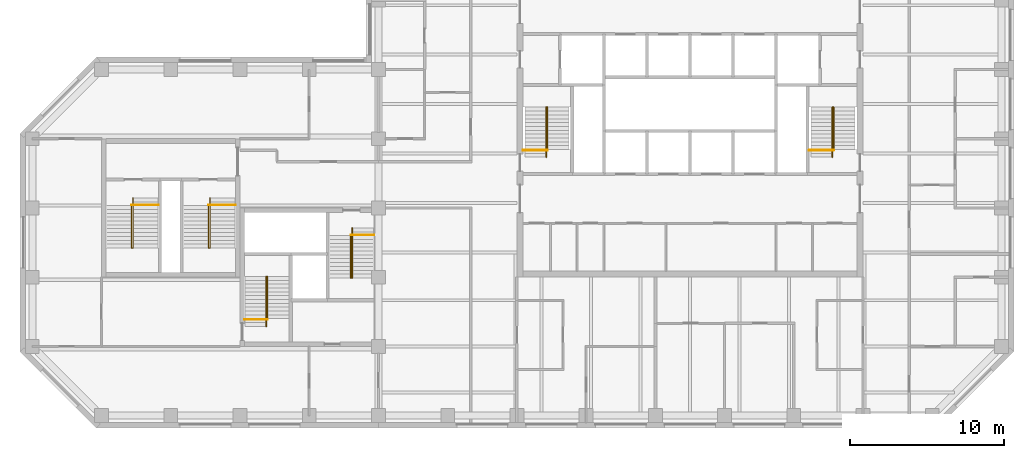
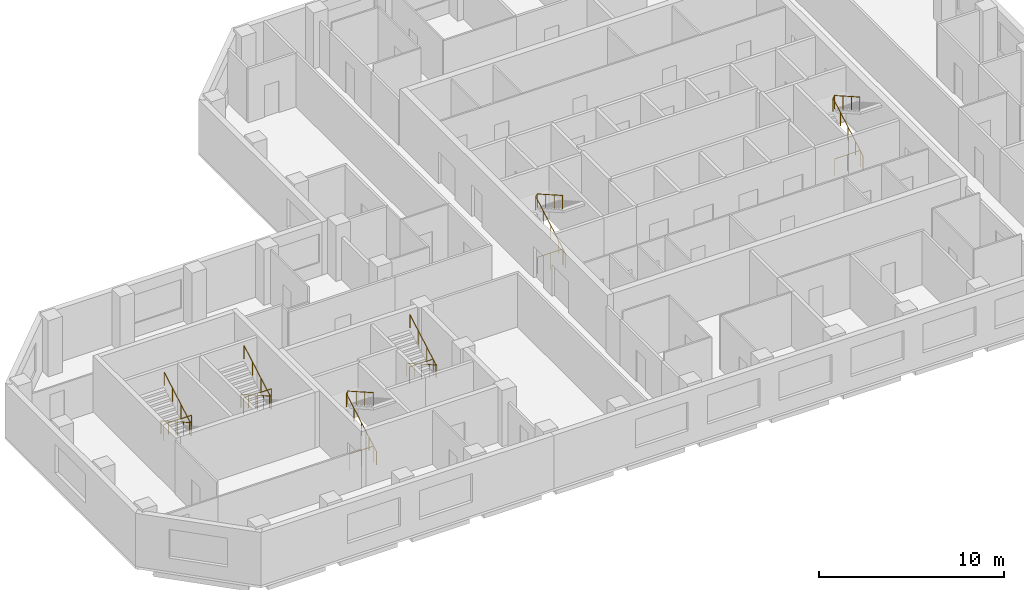
# One storey, part 10 of 10: 12 railings.
"""IFC4 building model written with IfcOpenShell, lengths in metres."""

import ifcopenshell
import ifcopenshell.guid

model = None  # the IFC model being written
_history = None  # IfcOwnerHistory: only IFC2X3 demands one
_inside = {}  # id of a spatial element -> (the spatial element, [elements in it])
_under = {}  # id of a project, library or spatial element -> (it, [spatial elements below it])
_declared = {}  # id of a project -> (the project, [libraries it declares])
_typed = {}  # id of a type object -> (the type object, [elements of that type])
_made_of = {}  # id of a material, layer set ... -> (it, [elements and type objects made of it])


def new_model(schema):
    """Start an empty IFC model of exactly this schema.

    Asked for "IFC4X3", IfcOpenShell would pick the latest addendum, in which some entities
    have other attributes; the version numbers below select the first issue.
    IFC2X3 requires an IfcOwnerHistory on every rooted entity: one is made here for all.
    """
    global model, _history
    if schema == "IFC4X3":
        model = ifcopenshell.file(schema_version=(4, 3, 0, 0))
    else:
        model = ifcopenshell.file(schema=schema)
    _inside.clear()
    _under.clear()
    _declared.clear()
    _typed.clear()
    _made_of.clear()
    _history = None
    if model.schema == "IFC2X3":
        org = make("IfcOrganization", Name="unknown")
        user = make(
            "IfcPersonAndOrganization",
            ThePerson=make("IfcPerson", FamilyName="unknown"),
            TheOrganization=org,
        )
        app = make(
            "IfcApplication",
            ApplicationDeveloper=org,
            Version="unknown",
            ApplicationFullName="unknown",
            ApplicationIdentifier="unknown",
        )
        _history = make(
            "IfcOwnerHistory",
            OwningUser=user,
            OwningApplication=app,
            ChangeAction="ADDED",
            CreationDate=0,
        )
    return model


def make(cls, **values):
    """One entity of the class cls with the attributes given. An attribute that is None is left unset."""
    return model.create_entity(
        cls, **{name: value for name, value in values.items() if value is not None}
    )


def rooted(cls, **values):
    """An entity with a GlobalId (a new one), such as an element, a storey or a relation."""
    return make(cls, GlobalId=ifcopenshell.guid.new(), OwnerHistory=_history, **values)


def si_unit(unit_type, name, prefix=None):
    """IfcSIUnit, for example si_unit("LENGTHUNIT", "METRE", prefix="MILLI")."""
    return make("IfcSIUnit", UnitType=unit_type, Prefix=prefix, Name=name)


def assignment(units):
    """IfcUnitAssignment: the units of a project."""
    return None if units is None else make("IfcUnitAssignment", Units=units)


def point(xyz):
    """IfcCartesianPoint."""
    return None if xyz is None else make("IfcCartesianPoint", Coordinates=xyz)


def direction(xyz):
    """IfcDirection."""
    return None if xyz is None else make("IfcDirection", DirectionRatios=xyz)


def frame(location, z_axis=None, x_axis=None):
    """IfcAxis2Placement3D, a coordinate frame: its origin and axes. An axis left out is left unset."""
    return make(
        "IfcAxis2Placement3D",
        Location=point(location),
        Axis=direction(z_axis),
        RefDirection=direction(x_axis),
    )


def frame_2d(location, x_axis=None):
    """IfcAxis2Placement2D, a coordinate frame in the plane: its origin and x axis."""
    return make(
        "IfcAxis2Placement2D", Location=point(location), RefDirection=direction(x_axis)
    )


def origin():
    """The frame at (0, 0, 0) with its axes left unset."""
    return frame((0.0, 0.0, 0.0))


def origin_2d():
    """The frame at (0, 0) in the plane with its x axis left unset."""
    return frame_2d((0.0, 0.0))


def place(relative_to, where):
    """IfcLocalPlacement: puts the frame where relative to a parent placement (None: the world)."""
    return make(
        "IfcLocalPlacement", PlacementRelTo=relative_to, RelativePlacement=where
    )


def context(
    kind, dimensions, precision=None, world=None, true_north=None, identifier=None
):
    """IfcGeometricRepresentationContext, for example the 3D "Model" context."""
    return make(
        "IfcGeometricRepresentationContext",
        ContextIdentifier=identifier,
        ContextType=kind,
        CoordinateSpaceDimension=dimensions,
        Precision=precision,
        WorldCoordinateSystem=world,
        TrueNorth=true_north,
    )


def subcontext(parent, identifier, kind, view, scale=None):
    """IfcGeometricRepresentationSubContext, for example "Body" below "Model"."""
    return make(
        "IfcGeometricRepresentationSubContext",
        ContextIdentifier=identifier,
        ContextType=kind,
        ParentContext=parent,
        TargetScale=scale,
        TargetView=view,
    )


def project(units=None, contexts=None):
    """IfcProject with its units and contexts."""
    return rooted(
        "IfcProject",
        Name="project",
        RepresentationContexts=contexts,
        UnitsInContext=assignment(units),
    )


def spatial(cls, under=None, at=None, **own):
    """A site, building, storey or space (cls), placed at a placement, below another one or the project."""
    s = rooted(cls, ObjectPlacement=at, **own)
    if under is not None:
        _under.setdefault(under.id(), (under, []))[1].append(s)
    return s


def profile(cls, at=None, kind="AREA", **sizes):
    """A parametric profile (cls). Its sizes go by their IFC names, for example OverallWidth=200.0."""
    return make(cls, ProfileType=kind, Position=at, **sizes)


def circle(**sizes):
    """IfcCircleProfileDef."""
    return profile("IfcCircleProfileDef", **sizes)


def extrude(swept, where, along, depth):
    """IfcExtrudedAreaSolid: the profile swept, set in the frame where, extruded along a direction by depth."""
    return make(
        "IfcExtrudedAreaSolid",
        SweptArea=swept,
        Position=where,
        ExtrudedDirection=direction(along),
        Depth=depth,
    )


def shape(context_of_items, identifier, shape_type, items):
    """IfcShapeRepresentation: the items that make up one representation, for example the "Body"."""
    return make(
        "IfcShapeRepresentation",
        ContextOfItems=context_of_items,
        RepresentationIdentifier=identifier,
        RepresentationType=shape_type,
        Items=items,
    )


def material(Name=None, Category=None):
    """IfcMaterial."""
    return make("IfcMaterial", Name=Name, Category=Category)


def made_of(thing, what):
    """Note that an element or type object is made of a material, layer set ...; save() writes the relation."""
    if what is not None:
        _made_of.setdefault(what.id(), (what, []))[1].append(thing)
    return thing


def type_object(cls, material=None, **own):
    """A type object (cls), such as IfcWallType, which elements share."""
    return made_of(rooted(cls, **own), material)


def element(
    cls,
    number,
    at=None,
    inside=None,
    cuts=None,
    type_object=None,
    material=None,
    context=None,
    identifier="Body",
    shape_type=None,
    held_by="IfcProductDefinitionShape",
    body=None,
    shapes=None,
    **own,
):
    """One element of the class cls, such as IfcWall. Its Tag is "e" and its number.

    at: its placement. inside: the storey or other place that contains it. cuts: it is an
    opening in that element (IfcRelVoidsElement). A single representation is given by context,
    identifier, shape_type and body (its items); several are given by shapes. held_by: the class
    of the entity that holds the representations. save() writes the other relations.
    """
    e = rooted(cls, Tag="e%d" % number, ObjectPlacement=at, **own)
    if body is not None:
        shapes = [shape(context, identifier, shape_type, body)]
    if shapes is not None:
        e.Representation = make(held_by, Representations=shapes)
    if inside is not None:
        _inside.setdefault(inside.id(), (inside, []))[1].append(e)
    if cuts is not None:
        rooted(
            "IfcRelVoidsElement", RelatingBuildingElement=cuts, RelatedOpeningElement=e
        )
    if type_object is not None:
        _typed.setdefault(type_object.id(), (type_object, []))[1].append(e)
    return made_of(e, material)


def aggregate(whole, parts):
    """IfcRelAggregates: a whole, such as a stair, and the parts it consists of."""
    return rooted("IfcRelAggregates", RelatingObject=whole, RelatedObjects=parts)


def save(model, path):
    """Write the relations noted so far, then the file.

    IfcRelAggregates (storeys below a building ...), IfcRelContainedInSpatialStructure (elements
    in a storey), IfcRelDefinesByType, IfcRelAssociatesMaterial and IfcRelDeclares: one each for
    every whole, place, type object, material and project.
    """
    for whole, parts in _under.values():
        aggregate(whole, parts)
    for where, things in _inside.values():
        rooted(
            "IfcRelContainedInSpatialStructure",
            RelatedElements=things,
            RelatingStructure=where,
        )
    for kind, things in _typed.values():
        rooted("IfcRelDefinesByType", RelatedObjects=things, RelatingType=kind)
    for what, things in _made_of.values():
        rooted("IfcRelAssociatesMaterial", RelatedObjects=things, RelatingMaterial=what)
    for by, libraries in _declared.values():
        rooted("IfcRelDeclares", RelatingContext=by, RelatedDefinitions=libraries)
    model.write(path)


model = new_model("IFC4")

# Units and contexts
model_context = context("Model", 3, precision=1e-05, world=origin(), true_north=direction((0.0, 1.0)))
body_context = subcontext(model_context, "Body", "Model", "MODEL_VIEW")
ifc_project = project(units=[si_unit("LENGTHUNIT", "METRE"), si_unit("AREAUNIT", "SQUARE_METRE"), si_unit("VOLUMEUNIT", "CUBIC_METRE"), si_unit("PLANEANGLEUNIT", "RADIAN"), si_unit("MASSUNIT", "GRAM", prefix="KILO")], contexts=[model_context])

# Site, building, storey
site_placement = place(None, origin())
site = spatial("IfcSite", under=ifc_project, at=site_placement, CompositionType="ELEMENT")
building_placement = place(site_placement, origin())
building = spatial("IfcBuilding", under=site, at=building_placement, Name="Quoin Convention Tower", CompositionType="ELEMENT")
storey_placement = place(building_placement, frame((0.0, 0.0, 195.800048828125)))
storey = spatial("IfcBuildingStorey", under=building, at=storey_placement, Name="L51", CompositionType="ELEMENT", Elevation=195.800048828125)

# Railings
ifc_material = material(Name="Stainless steel", Category="steel")
railing_type_1 = type_object("IfcRailingType", Name="Stair handrail 900", PredefinedType="HANDRAIL", material=ifc_material)
railing_1_placement = place(storey_placement, frame((46.905029296875, 57.300048828125, 0.142333984375)))
element("IfcRailing", 1, at=railing_1_placement, inside=storey, type_object=railing_type_1, Name="SD1 handrail 1", PredefinedType="HANDRAIL", context=body_context, shape_type="SweptSolid", body=[
    extrude(circle(Radius=0.02392578125, at=origin_2d()), frame((0.0, 0.0, 0.8759765625), z_axis=(0.0, 0.869081571614, 0.494668800189), x_axis=(-1.0, 0.0, 0.0)), (0.0, 0.0, 1.0), 3.739501953125),
    extrude(circle(Radius=0.02392578125, at=origin_2d()), frame((0.0, 3.25, 2.7255859375), z_axis=(0.53481069233, 0.0, 0.844971906852), x_axis=(0.0, 1.0, 0.0)), (0.0, 0.0, 1.0), 0.16845703125),
    extrude(circle(Radius=0.02392578125, at=origin_2d()), frame((0.090087890625, 3.25, 2.8681640625), z_axis=(0.0, -0.869058607571, 0.494709143443), x_axis=(1.0, 0.0, 0.0)), (0.0, 0.0, 1.0), 3.164306640625),
    extrude(circle(Radius=0.02099609375, at=origin_2d()), origin(), (0.0, 0.0, 1.0), 0.851806640625),
    extrude(circle(Radius=0.02099609375, at=origin_2d()), frame((0.0, 0.8125, 0.46240234375)), (0.0, 0.0, 1.0), 0.851806640625),
    extrude(circle(Radius=0.02099609375, at=origin_2d()), frame((0.0, 1.625, 0.9248046875)), (0.0, 0.0, 1.0), 0.851806640625),
    extrude(circle(Radius=0.02099609375, at=origin_2d()), frame((0.0, 2.4375, 1.387451171875)), (0.0, 0.0, 1.0), 0.851806640625),
    extrude(circle(Radius=0.02099609375, at=origin_2d()), frame((0.0, 3.25, 1.849853515625)), (0.0, 0.0, 1.0), 0.851806640625),
    extrude(circle(Radius=0.02099609375, at=origin_2d()), frame((0.090087890625, 3.25, 1.9921875)), (0.0, 0.0, 1.0), 0.851806640625),
    extrude(circle(Radius=0.02099609375, at=origin_2d()), frame((0.090087890625, 2.333251953125, 2.513916015625)), (0.0, 0.0, 1.0), 0.851806640625),
    extrude(circle(Radius=0.02099609375, at=origin_2d()), frame((0.090087890625, 1.416748046875, 3.035888671875)), (0.0, 0.0, 1.0), 0.851806640625),
    extrude(circle(Radius=0.02099609375, at=origin_2d()), frame((0.090087890625, 0.5, 3.5576171875)), (0.0, 0.0, 1.0), 0.851806640625),
])
railing_2_placement = place(storey_placement, frame((65.5048828125, 57.300048828125, 0.142333984375)))
element("IfcRailing", 2, at=railing_2_placement, inside=storey, type_object=railing_type_1, Name="SD2 handrail 1", PredefinedType="HANDRAIL", context=body_context, shape_type="SweptSolid", body=[
    extrude(circle(Radius=0.02392578125, at=origin_2d()), frame((0.0, 0.0, 0.8759765625), z_axis=(0.0, 0.869081571614, 0.494668800189), x_axis=(-1.0, 0.0, 0.0)), (0.0, 0.0, 1.0), 3.739501953125),
    extrude(circle(Radius=0.02392578125, at=origin_2d()), frame((0.0, 3.25, 2.7255859375), z_axis=(0.53481069233, 0.0, 0.844971906852), x_axis=(0.0, 1.0, 0.0)), (0.0, 0.0, 1.0), 0.16845703125),
    extrude(circle(Radius=0.02392578125, at=origin_2d()), frame((0.090087890625, 3.25, 2.8681640625), z_axis=(0.0, -0.869058607571, 0.494709143443), x_axis=(1.0, 0.0, 0.0)), (0.0, 0.0, 1.0), 3.164306640625),
    extrude(circle(Radius=0.02099609375, at=origin_2d()), origin(), (0.0, 0.0, 1.0), 0.851806640625),
    extrude(circle(Radius=0.02099609375, at=origin_2d()), frame((0.0, 0.8125, 0.46240234375)), (0.0, 0.0, 1.0), 0.851806640625),
    extrude(circle(Radius=0.02099609375, at=origin_2d()), frame((0.0, 1.625, 0.9248046875)), (0.0, 0.0, 1.0), 0.851806640625),
    extrude(circle(Radius=0.02099609375, at=origin_2d()), frame((0.0, 2.4375, 1.387451171875)), (0.0, 0.0, 1.0), 0.851806640625),
    extrude(circle(Radius=0.02099609375, at=origin_2d()), frame((0.0, 3.25, 1.849853515625)), (0.0, 0.0, 1.0), 0.851806640625),
    extrude(circle(Radius=0.02099609375, at=origin_2d()), frame((0.090087890625, 3.25, 1.9921875)), (0.0, 0.0, 1.0), 0.851806640625),
    extrude(circle(Radius=0.02099609375, at=origin_2d()), frame((0.090087890625, 2.333251953125, 2.513916015625)), (0.0, 0.0, 1.0), 0.851806640625),
    extrude(circle(Radius=0.02099609375, at=origin_2d()), frame((0.090087890625, 1.416748046875, 3.035888671875)), (0.0, 0.0, 1.0), 0.851806640625),
    extrude(circle(Radius=0.02099609375, at=origin_2d()), frame((0.090087890625, 0.5, 3.5576171875)), (0.0, 0.0, 1.0), 0.851806640625),
])
railing_3_placement = place(storey_placement, frame((28.705078125, 46.300048828125, 0.142333984375)))
element("IfcRailing", 3, at=railing_3_placement, inside=storey, type_object=railing_type_1, Name="SD3 handrail 1", PredefinedType="HANDRAIL", context=body_context, shape_type="SweptSolid", body=[
    extrude(circle(Radius=0.02392578125, at=origin_2d()), frame((0.0, 0.0, 0.8759765625), z_axis=(0.0, 0.869081571614, 0.494668800189), x_axis=(-1.0, 0.0, 0.0)), (0.0, 0.0, 1.0), 3.739501953125),
    extrude(circle(Radius=0.02392578125, at=origin_2d()), frame((0.0, 3.25, 2.7255859375), z_axis=(0.533774684331, 0.0, 0.845626741753), x_axis=(0.0, 1.0, 0.0)), (0.0, 0.0, 1.0), 0.168212890625),
    extrude(circle(Radius=0.02392578125, at=origin_2d()), frame((0.08984375, 3.25, 2.8681640625), z_axis=(0.0, -0.869058607571, 0.494709143443), x_axis=(1.0, 0.0, 0.0)), (0.0, 0.0, 1.0), 3.164306640625),
    extrude(circle(Radius=0.02099609375, at=origin_2d()), origin(), (0.0, 0.0, 1.0), 0.851806640625),
    extrude(circle(Radius=0.02099609375, at=origin_2d()), frame((0.0, 0.8125, 0.46240234375)), (0.0, 0.0, 1.0), 0.851806640625),
    extrude(circle(Radius=0.02099609375, at=origin_2d()), frame((0.0, 1.625, 0.9248046875)), (0.0, 0.0, 1.0), 0.851806640625),
    extrude(circle(Radius=0.02099609375, at=origin_2d()), frame((0.0, 2.4375, 1.387451171875)), (0.0, 0.0, 1.0), 0.851806640625),
    extrude(circle(Radius=0.02099609375, at=origin_2d()), frame((0.0, 3.25, 1.849853515625)), (0.0, 0.0, 1.0), 0.851806640625),
    extrude(circle(Radius=0.02099609375, at=origin_2d()), frame((0.08984375, 3.25, 1.9921875)), (0.0, 0.0, 1.0), 0.851806640625),
    extrude(circle(Radius=0.02099609375, at=origin_2d()), frame((0.08984375, 2.333251953125, 2.513916015625)), (0.0, 0.0, 1.0), 0.851806640625),
    extrude(circle(Radius=0.02099609375, at=origin_2d()), frame((0.08984375, 1.416748046875, 3.035888671875)), (0.0, 0.0, 1.0), 0.851806640625),
    extrude(circle(Radius=0.02099609375, at=origin_2d()), frame((0.08984375, 0.5, 3.5576171875)), (0.0, 0.0, 1.0), 0.851806640625),
])
railing_4_placement = place(storey_placement, frame((34.294921875, 52.699951171875, 0.142333984375)))
element("IfcRailing", 4, at=railing_4_placement, inside=storey, type_object=railing_type_1, Name="SD4 handrail 1", PredefinedType="HANDRAIL", context=body_context, shape_type="SweptSolid", body=[
    extrude(circle(Radius=0.02392578125, at=origin_2d()), frame((0.0, 0.0, 0.8759765625), z_axis=(0.0, -0.869081571614, 0.494668800189), x_axis=(1.0, 0.0, 0.0)), (0.0, 0.0, 1.0), 3.739501953125),
    extrude(circle(Radius=0.02392578125, at=origin_2d()), frame((0.0, -3.25, 2.7255859375), z_axis=(-0.533774684331, 0.0, 0.845626741753), x_axis=(0.0, -1.0, 0.0)), (0.0, 0.0, 1.0), 0.168212890625),
    extrude(circle(Radius=0.02392578125, at=origin_2d()), frame((-0.08984375, -3.25, 2.8681640625), z_axis=(0.0, 0.869058607571, 0.494709143443), x_axis=(-1.0, 0.0, 0.0)), (0.0, 0.0, 1.0), 3.164306640625),
    extrude(circle(Radius=0.02099609375, at=origin_2d()), origin(), (0.0, 0.0, 1.0), 0.851806640625),
    extrude(circle(Radius=0.02099609375, at=origin_2d()), frame((0.0, -0.8125, 0.46240234375)), (0.0, 0.0, 1.0), 0.851806640625),
    extrude(circle(Radius=0.02099609375, at=origin_2d()), frame((0.0, -1.625, 0.9248046875)), (0.0, 0.0, 1.0), 0.851806640625),
    extrude(circle(Radius=0.02099609375, at=origin_2d()), frame((0.0, -2.4375, 1.387451171875)), (0.0, 0.0, 1.0), 0.851806640625),
    extrude(circle(Radius=0.02099609375, at=origin_2d()), frame((0.0, -3.25, 1.849853515625)), (0.0, 0.0, 1.0), 0.851806640625),
    extrude(circle(Radius=0.02099609375, at=origin_2d()), frame((-0.08984375, -3.25, 1.9921875)), (0.0, 0.0, 1.0), 0.851806640625),
    extrude(circle(Radius=0.02099609375, at=origin_2d()), frame((-0.08984375, -2.333251953125, 2.513916015625)), (0.0, 0.0, 1.0), 0.851806640625),
    extrude(circle(Radius=0.02099609375, at=origin_2d()), frame((-0.08984375, -1.416748046875, 3.035888671875)), (0.0, 0.0, 1.0), 0.851806640625),
    extrude(circle(Radius=0.02099609375, at=origin_2d()), frame((-0.08984375, -0.5, 3.5576171875)), (0.0, 0.0, 1.0), 0.851806640625),
])
railing_5_placement = place(storey_placement, frame((20.044921875, 54.64990234375, 0.142333984375)))
element("IfcRailing", 5, at=railing_5_placement, inside=storey, type_object=railing_type_1, Name="SD11 handrail 1", PredefinedType="HANDRAIL", context=body_context, shape_type="SweptSolid", body=[
    extrude(circle(Radius=0.02392578125, at=origin_2d()), frame((0.0, 0.0, 0.8759765625), z_axis=(0.0, -0.869081571614, 0.494668800189), x_axis=(1.0, 0.0, 0.0)), (0.0, 0.0, 1.0), 3.739501953125),
    extrude(circle(Radius=0.02392578125, at=origin_2d()), frame((0.0, -3.25, 2.7255859375), z_axis=(-0.533774684331, 0.0, 0.845626741753), x_axis=(0.0, -1.0, 0.0)), (0.0, 0.0, 1.0), 0.168212890625),
    extrude(circle(Radius=0.02392578125, at=origin_2d()), frame((-0.08984375, -3.25, 2.8681640625), z_axis=(0.0, 0.869058607571, 0.494709143443), x_axis=(-1.0, 0.0, 0.0)), (0.0, 0.0, 1.0), 3.164306640625),
    extrude(circle(Radius=0.02099609375, at=origin_2d()), origin(), (0.0, 0.0, 1.0), 0.851806640625),
    extrude(circle(Radius=0.02099609375, at=origin_2d()), frame((0.0, -0.8125, 0.46240234375)), (0.0, 0.0, 1.0), 0.851806640625),
    extrude(circle(Radius=0.02099609375, at=origin_2d()), frame((0.0, -1.625, 0.9248046875)), (0.0, 0.0, 1.0), 0.851806640625),
    extrude(circle(Radius=0.02099609375, at=origin_2d()), frame((0.0, -2.4375, 1.387451171875)), (0.0, 0.0, 1.0), 0.851806640625),
    extrude(circle(Radius=0.02099609375, at=origin_2d()), frame((0.0, -3.25, 1.849853515625)), (0.0, 0.0, 1.0), 0.851806640625),
    extrude(circle(Radius=0.02099609375, at=origin_2d()), frame((-0.08984375, -3.25, 1.9921875)), (0.0, 0.0, 1.0), 0.851806640625),
    extrude(circle(Radius=0.02099609375, at=origin_2d()), frame((-0.08984375, -2.333251953125, 2.513916015625)), (0.0, 0.0, 1.0), 0.851806640625),
    extrude(circle(Radius=0.02099609375, at=origin_2d()), frame((-0.08984375, -1.416748046875, 3.035888671875)), (0.0, 0.0, 1.0), 0.851806640625),
    extrude(circle(Radius=0.02099609375, at=origin_2d()), frame((-0.08984375, -0.5, 3.5576171875)), (0.0, 0.0, 1.0), 0.851806640625),
])
railing_6_placement = place(storey_placement, frame((25.044921875, 54.64990234375, 0.142333984375)))
element("IfcRailing", 6, at=railing_6_placement, inside=storey, type_object=railing_type_1, Name="SD12 handrail 1", PredefinedType="HANDRAIL", context=body_context, shape_type="SweptSolid", body=[
    extrude(circle(Radius=0.02392578125, at=origin_2d()), frame((0.0, 0.0, 0.8759765625), z_axis=(0.0, -0.869081571614, 0.494668800189), x_axis=(1.0, 0.0, 0.0)), (0.0, 0.0, 1.0), 3.739501953125),
    extrude(circle(Radius=0.02392578125, at=origin_2d()), frame((0.0, -3.25, 2.7255859375), z_axis=(-0.533774684331, 0.0, 0.845626741753), x_axis=(0.0, -1.0, 0.0)), (0.0, 0.0, 1.0), 0.168212890625),
    extrude(circle(Radius=0.02392578125, at=origin_2d()), frame((-0.08984375, -3.25, 2.8681640625), z_axis=(0.0, 0.869058607571, 0.494709143443), x_axis=(-1.0, 0.0, 0.0)), (0.0, 0.0, 1.0), 3.164306640625),
    extrude(circle(Radius=0.02099609375, at=origin_2d()), origin(), (0.0, 0.0, 1.0), 0.851806640625),
    extrude(circle(Radius=0.02099609375, at=origin_2d()), frame((0.0, -0.8125, 0.46240234375)), (0.0, 0.0, 1.0), 0.851806640625),
    extrude(circle(Radius=0.02099609375, at=origin_2d()), frame((0.0, -1.625, 0.9248046875)), (0.0, 0.0, 1.0), 0.851806640625),
    extrude(circle(Radius=0.02099609375, at=origin_2d()), frame((0.0, -2.4375, 1.387451171875)), (0.0, 0.0, 1.0), 0.851806640625),
    extrude(circle(Radius=0.02099609375, at=origin_2d()), frame((0.0, -3.25, 1.849853515625)), (0.0, 0.0, 1.0), 0.851806640625),
    extrude(circle(Radius=0.02099609375, at=origin_2d()), frame((-0.08984375, -3.25, 1.9921875)), (0.0, 0.0, 1.0), 0.851806640625),
    extrude(circle(Radius=0.02099609375, at=origin_2d()), frame((-0.08984375, -2.333251953125, 2.513916015625)), (0.0, 0.0, 1.0), 0.851806640625),
    extrude(circle(Radius=0.02099609375, at=origin_2d()), frame((-0.08984375, -1.416748046875, 3.035888671875)), (0.0, 0.0, 1.0), 0.851806640625),
    extrude(circle(Radius=0.02099609375, at=origin_2d()), frame((-0.08984375, -0.5, 3.5576171875)), (0.0, 0.0, 1.0), 0.851806640625),
])
railing_type_2 = type_object("IfcRailingType", Name="Stair top guard 1100", PredefinedType="GUARDRAIL", material=ifc_material)
railing_7_placement = place(storey_placement, frame((45.39990234375, 57.75, 0.0)))
element("IfcRailing", 7, at=railing_7_placement, inside=storey, type_object=railing_type_2, Name="SD1 top guard", PredefinedType="GUARDRAIL", context=body_context, shape_type="SweptSolid", body=[
    extrude(circle(Radius=0.02392578125, at=origin_2d()), frame((0.0, 0.0, 1.076171875), z_axis=(1.0, 0.0, 0.0), x_axis=(0.0, 1.0, 0.0)), (0.0, 0.0, 1.0), 1.59521484375),
    extrude(circle(Radius=0.02099609375, at=origin_2d()), origin(), (0.0, 0.0, 1.0), 1.052001953125),
    extrude(circle(Radius=0.02099609375, at=origin_2d()), frame((0.797607421875, 0.0, 0.0)), (0.0, 0.0, 1.0), 1.052001953125),
    extrude(circle(Radius=0.02099609375, at=origin_2d()), frame((1.59521484375, 0.0, 0.0)), (0.0, 0.0, 1.0), 1.052001953125),
])
railing_8_placement = place(storey_placement, frame((64.0, 57.75, 0.0)))
element("IfcRailing", 8, at=railing_8_placement, inside=storey, type_object=railing_type_2, Name="SD2 top guard", PredefinedType="GUARDRAIL", context=body_context, shape_type="SweptSolid", body=[
    extrude(circle(Radius=0.02392578125, at=origin_2d()), frame((0.0, 0.0, 1.076171875), z_axis=(1.0, 0.0, 0.0), x_axis=(0.0, 1.0, 0.0)), (0.0, 0.0, 1.0), 1.594970703125),
    extrude(circle(Radius=0.02099609375, at=origin_2d()), origin(), (0.0, 0.0, 1.0), 1.052001953125),
    extrude(circle(Radius=0.02099609375, at=origin_2d()), frame((0.79736328125, 0.0, 0.0)), (0.0, 0.0, 1.0), 1.052001953125),
    extrude(circle(Radius=0.02099609375, at=origin_2d()), frame((1.594970703125, 0.0, 0.0)), (0.0, 0.0, 1.0), 1.052001953125),
])
railing_9_placement = place(storey_placement, frame((27.300048828125, 46.75, 0.0)))
element("IfcRailing", 9, at=railing_9_placement, inside=storey, type_object=railing_type_2, Name="SD3 top guard", PredefinedType="GUARDRAIL", context=body_context, shape_type="SweptSolid", body=[
    extrude(circle(Radius=0.02392578125, at=origin_2d()), frame((0.0, 0.0, 1.076171875), z_axis=(1.0, 0.0, 0.0), x_axis=(0.0, 1.0, 0.0)), (0.0, 0.0, 1.0), 1.494873046875),
    extrude(circle(Radius=0.02099609375, at=origin_2d()), origin(), (0.0, 0.0, 1.0), 1.052001953125),
    extrude(circle(Radius=0.02099609375, at=origin_2d()), frame((0.74755859375, 0.0, 0.0)), (0.0, 0.0, 1.0), 1.052001953125),
    extrude(circle(Radius=0.02099609375, at=origin_2d()), frame((1.494873046875, 0.0, 0.0)), (0.0, 0.0, 1.0), 1.052001953125),
])
railing_10_placement = place(storey_placement, frame((35.699951171875, 52.25, 0.0)))
element("IfcRailing", 10, at=railing_10_placement, inside=storey, type_object=railing_type_2, Name="SD4 top guard", PredefinedType="GUARDRAIL", context=body_context, shape_type="SweptSolid", body=[
    extrude(circle(Radius=0.02392578125, at=origin_2d()), frame((0.0, 0.0, 1.076171875), z_axis=(-1.0, 0.0, 0.0), x_axis=(0.0, -1.0, 0.0)), (0.0, 0.0, 1.0), 1.494873046875),
    extrude(circle(Radius=0.02099609375, at=origin_2d()), origin(), (0.0, 0.0, 1.0), 1.052001953125),
    extrude(circle(Radius=0.02099609375, at=origin_2d()), frame((-0.74755859375, 0.0, 0.0)), (0.0, 0.0, 1.0), 1.052001953125),
    extrude(circle(Radius=0.02099609375, at=origin_2d()), frame((-1.494873046875, 0.0, 0.0)), (0.0, 0.0, 1.0), 1.052001953125),
])
for number, where, name in (
    (11, (21.699951171875, 54.199951171875, 0.0), "SD11 top guard"),
    (12, (26.699951171875, 54.199951171875, 0.0), "SD12 top guard"),
):
    element("IfcRailing", number, at=place(storey_placement, frame(where)), inside=storey, type_object=railing_type_2, Name=name, PredefinedType="GUARDRAIL", context=body_context, shape_type="SweptSolid", body=[
        extrude(circle(Radius=0.02392578125, at=origin_2d()), frame((0.0, 0.0, 1.076171875), z_axis=(-1.0, 0.0, 0.0), x_axis=(0.0, -1.0, 0.0)), (0.0, 0.0, 1.0), 1.744873046875),
        extrude(circle(Radius=0.02099609375, at=origin_2d()), origin(), (0.0, 0.0, 1.0), 1.052001953125),
        extrude(circle(Radius=0.02099609375, at=origin_2d()), frame((-0.87255859375, 0.0, 0.0)), (0.0, 0.0, 1.0), 1.052001953125),
        extrude(circle(Radius=0.02099609375, at=origin_2d()), frame((-1.744873046875, 0.0, 0.0)), (0.0, 0.0, 1.0), 1.052001953125),
    ])

save(model, "model.ifc")
